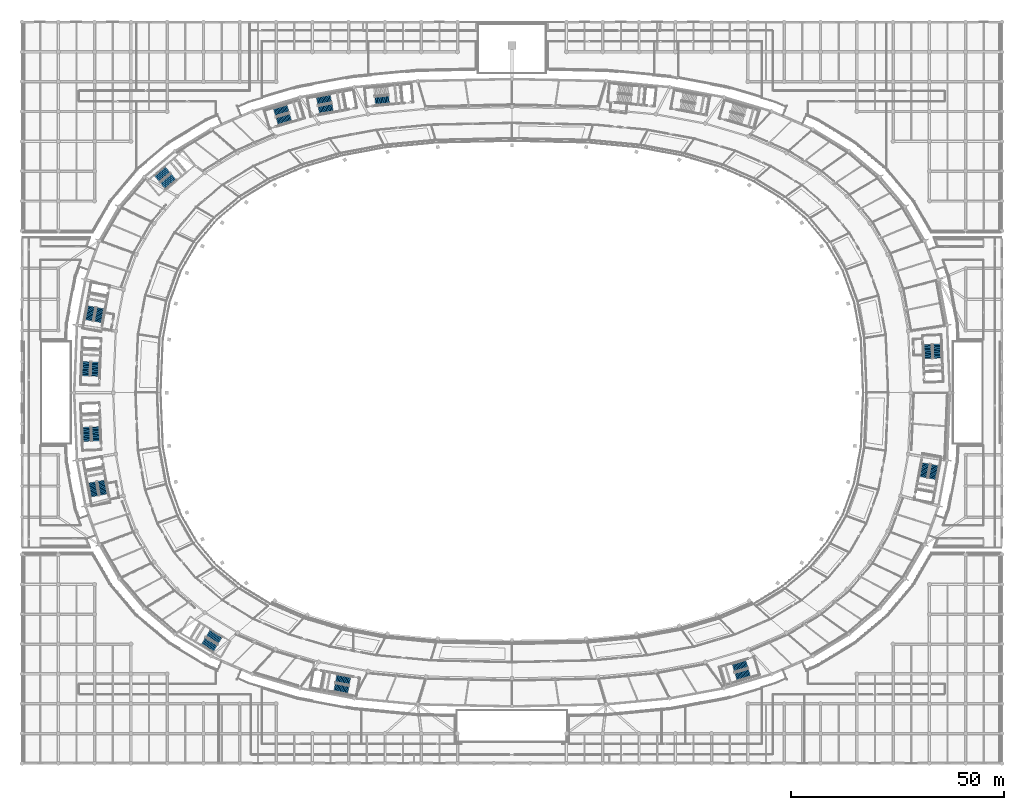
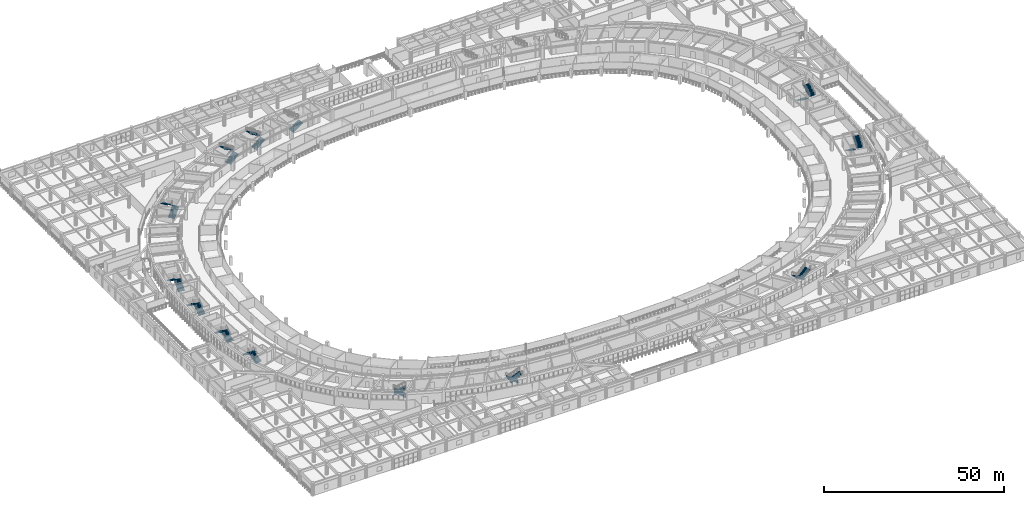
# One storey, part 111 of 141: 25 stair flights, 13 elements without a shape of their own.
"""IFC4 building model written with IfcOpenShell, lengths in metres."""

from ifc_helpers import new_model, si_unit, direction, frame, origin, place, context, subcontext, project, spatial, polyline, outline, extrude, material, type_object, element, aggregate, save


model = new_model("IFC4")

# Units and contexts
model_context = context("Model", 3, precision=1e-05, world=origin(), true_north=direction((0.0, 1.0)))
body_context = subcontext(model_context, "Body", "Model", "MODEL_VIEW")
ifc_project = project(units=[si_unit("LENGTHUNIT", "METRE"), si_unit("AREAUNIT", "SQUARE_METRE"), si_unit("VOLUMEUNIT", "CUBIC_METRE"), si_unit("PLANEANGLEUNIT", "RADIAN"), si_unit("MASSUNIT", "GRAM", prefix="KILO")], contexts=[model_context])

# Site, building, storey
site_placement = place(None, origin())
site = spatial("IfcSite", under=ifc_project, at=site_placement, CompositionType="ELEMENT")
building_placement = place(site_placement, origin())
building = spatial("IfcBuilding", under=site, at=building_placement, Name="Mphavela Belvedere Stadium", CompositionType="ELEMENT")
storey_placement = place(building_placement, frame((0.0, 0.0, 14.699951171875)))
storey = spatial("IfcBuildingStorey", under=building, at=storey_placement, Name="L03", CompositionType="ELEMENT", Elevation=14.699951171875)

# Stair, stair flights
ifc_material_1 = material(Name="Concrete C40/50", Category="concrete")
stair_type_1 = type_object("IfcStairType", Name="STR-HALF-TURN-1", PredefinedType="HALF_TURN_STAIR", material=ifc_material_1)
stair_1_placement = place(storey_placement, origin())
stair_1 = element("IfcStair", 1, at=stair_1_placement, inside=storey, type_object=stair_type_1, Name="L03 Escape stair core C01", PredefinedType="HALF_TURN_STAIR")
ifc_material_2 = material(Name="Concrete C40/50", Category="concrete")
stair_flight_type = type_object("IfcStairFlightType", Name="SFL-CORE-152", PredefinedType="STRAIGHT", material=ifc_material_2)
stair_flight_1_placement = place(storey_placement, frame((212.57373046875, 98.3193359375, 0.0), z_axis=(0.0, 0.0, 1.0), x_axis=(0.041875653729, -0.999122830099, 0.0)))
stair_flight_1 = element("IfcStairFlight", 2, at=stair_flight_1_placement, type_object=stair_flight_type, Name="ST-C01 flight 1", NumberOfRisers=12, NumberOfTreads=11, PredefinedType="STRAIGHT", RiserHeight=0.1875, TreadLength=0.302, context=body_context, shape_type="SweptSolid", body=[
    extrude(outline(polyline([(0.0, 0.0), (0.0, 0.1875), (0.302001953125, 0.1875), (0.302001953125, 0.375), (0.60400390625, 0.375), (0.60400390625, 0.5625), (0.906005859375, 0.5625), (0.906005859375, 0.75), (1.2080078125, 0.75), (1.2080078125, 0.9375), (1.510009765625, 0.9375), (1.510009765625, 1.125), (1.81201171875, 1.125), (1.81201171875, 1.3125), (2.114013671875, 1.3125), (2.114013671875, 1.5), (2.416015625, 1.5), (2.416015625, 1.6875), (2.718017578125, 1.6875), (2.718017578125, 1.875), (3.02001953125, 1.875), (3.02001953125, 2.0625), (3.322021484375, 2.0625), (3.322021484375, 2.25), (3.322021484375, 1.885986328125), (0.2841796875, 0.0), (0.0, 0.0)])), frame((0.0, 1.010009765625, 0.0), z_axis=(0.0, -1.0, 0.0), x_axis=(1.0, 0.0, 0.0)), (0.0, 0.0, 1.0), 2.02001953125),
])
stair_flight_2_placement = place(storey_placement, frame((214.881103515625, 95.091064453125, 2.25), z_axis=(0.0, 0.0, 1.0), x_axis=(-0.041875653729, 0.999122830099, 0.0)))
stair_flight_2 = element("IfcStairFlight", 3, at=stair_flight_2_placement, type_object=stair_flight_type, Name="ST-C01 flight 2", NumberOfRisers=12, NumberOfTreads=11, PredefinedType="STRAIGHT", RiserHeight=0.1875, TreadLength=0.302, context=body_context, shape_type="SweptSolid", body=[
    extrude(outline(polyline([(0.0, 0.0), (0.0, 0.1875), (0.302001953125, 0.1875), (0.302001953125, 0.375), (0.60400390625, 0.375), (0.60400390625, 0.5625), (0.906005859375, 0.5625), (0.906005859375, 0.75), (1.2080078125, 0.75), (1.2080078125, 0.9375), (1.510009765625, 0.9375), (1.510009765625, 1.125), (1.81201171875, 1.125), (1.81201171875, 1.3125), (2.114013671875, 1.3125), (2.114013671875, 1.5), (2.416015625, 1.5), (2.416015625, 1.6875), (2.718017578125, 1.6875), (2.718017578125, 1.875), (3.02001953125, 1.875), (3.02001953125, 2.0625), (3.322021484375, 2.0625), (3.322021484375, 2.25), (3.322021484375, 1.885986328125), (0.2841796875, 0.0), (0.0, 0.0)])), frame((0.0, 1.010009765625, 0.0), z_axis=(0.0, -1.0, 0.0), x_axis=(1.0, 0.0, 0.0)), (0.0, 0.0, 1.0), 2.02001953125),
])
aggregate(stair_1, [stair_flight_1, stair_flight_2])

ifc_material_3 = material(Name="Concrete C40/50", Category="concrete")
stair_type_2 = type_object("IfcStairType", Name="STR-HALF-TURN-2", PredefinedType="HALF_TURN_STAIR", material=ifc_material_3)
stair_2_placement = place(storey_placement, origin())
stair_2 = element("IfcStair", 4, at=stair_2_placement, inside=storey, type_object=stair_type_2, Name="L03 Escape stair core C02", PredefinedType="HALF_TURN_STAIR")
stair_flight_3_placement = place(storey_placement, frame((69.651611328125, 153.302490234375, 0.0), z_axis=(0.0, 0.0, 1.0), x_axis=(0.983095502692, 0.183093507769, 0.0)))
stair_flight_3 = element("IfcStairFlight", 5, at=stair_flight_3_placement, type_object=stair_flight_type, Name="ST-C02 flight 1", NumberOfRisers=12, NumberOfTreads=11, PredefinedType="STRAIGHT", RiserHeight=0.1875, TreadLength=0.302, context=body_context, shape_type="SweptSolid", body=[
    extrude(outline(polyline([(0.0, 0.0), (0.0, 0.1875), (0.302001953125, 0.1875), (0.302001953125, 0.375), (0.60400390625, 0.375), (0.60400390625, 0.5625), (0.906005859375, 0.5625), (0.906005859375, 0.75), (1.2080078125, 0.75), (1.2080078125, 0.9375), (1.510009765625, 0.9375), (1.510009765625, 1.125), (1.81201171875, 1.125), (1.81201171875, 1.3125), (2.114013671875, 1.3125), (2.114013671875, 1.5), (2.416015625, 1.5), (2.416015625, 1.6875), (2.718017578125, 1.6875), (2.718017578125, 1.875), (3.02001953125, 1.875), (3.02001953125, 2.0625), (3.322021484375, 2.0625), (3.322021484375, 2.25), (3.322021484375, 1.885986328125), (0.2841796875, 0.0), (0.0, 0.0)])), frame((0.0, 1.010009765625, 0.0), z_axis=(0.0, -1.0, 0.0), x_axis=(1.0, 0.0, 0.0)), (0.0, 0.0, 1.0), 2.02001953125),
])
stair_flight_4_placement = place(storey_placement, frame((72.520263671875, 156.0439453125, 2.25), z_axis=(0.0, 0.0, 1.0), x_axis=(-0.983095502692, -0.183093507769, 0.0)))
stair_flight_4 = element("IfcStairFlight", 6, at=stair_flight_4_placement, type_object=stair_flight_type, Name="ST-C02 flight 2", NumberOfRisers=12, NumberOfTreads=11, PredefinedType="STRAIGHT", RiserHeight=0.1875, TreadLength=0.302, context=body_context, shape_type="SweptSolid", body=[
    extrude(outline(polyline([(0.0, 0.0), (0.0, 0.1875), (0.302001953125, 0.1875), (0.302001953125, 0.375), (0.60400390625, 0.375), (0.60400390625, 0.5625), (0.906005859375, 0.5625), (0.906005859375, 0.75), (1.2080078125, 0.75), (1.2080078125, 0.9375), (1.510009765625, 0.9375), (1.510009765625, 1.125), (1.81201171875, 1.125), (1.81201171875, 1.3125), (2.114013671875, 1.3125), (2.114013671875, 1.5), (2.416015625, 1.5), (2.416015625, 1.6875), (2.718017578125, 1.6875), (2.718017578125, 1.875), (3.02001953125, 1.875), (3.02001953125, 2.0625), (3.322021484375, 2.0625), (3.322021484375, 2.25), (3.322021484375, 1.885986328125), (0.2841796875, 0.0), (0.0, 0.0)])), frame((0.0, 1.010009765625, 0.0), z_axis=(0.0, -1.0, 0.0), x_axis=(1.0, 0.0, 0.0)), (0.0, 0.0, 1.0), 2.02001953125),
])
aggregate(stair_2, [stair_flight_3, stair_flight_4])

# Stair, stair flight
stair_3_placement = place(storey_placement, origin())
stair_3 = element("IfcStair", 7, at=stair_3_placement, inside=storey, type_object=stair_type_1, Name="L03 Escape stair core C04", PredefinedType="HALF_TURN_STAIR")
stair_flight_5_placement = place(storey_placement, frame((82.85693359375, 155.44775390625, 0.0), z_axis=(0.0, 0.0, 1.0), x_axis=(0.995479460536, 0.094977069084, 0.0)))
stair_flight_5 = element("IfcStairFlight", 8, at=stair_flight_5_placement, type_object=stair_flight_type, Name="ST-C04 flight 1", NumberOfRisers=12, NumberOfTreads=11, PredefinedType="STRAIGHT", RiserHeight=0.1875, TreadLength=0.302, context=body_context, shape_type="SweptSolid", body=[
    extrude(outline(polyline([(0.0, 0.0), (0.0, 0.1875), (0.302001953125, 0.1875), (0.302001953125, 0.375), (0.60400390625, 0.375), (0.60400390625, 0.5625), (0.906005859375, 0.5625), (0.906005859375, 0.75), (1.2080078125, 0.75), (1.2080078125, 0.9375), (1.510009765625, 0.9375), (1.510009765625, 1.125), (1.81201171875, 1.125), (1.81201171875, 1.3125), (2.114013671875, 1.3125), (2.114013671875, 1.5), (2.416015625, 1.5), (2.416015625, 1.6875), (2.718017578125, 1.6875), (2.718017578125, 1.875), (3.02001953125, 1.875), (3.02001953125, 2.0625), (3.322021484375, 2.0625), (3.322021484375, 2.25), (3.322021484375, 1.885986328125), (0.2841796875, 0.0), (0.0, 0.0)])), frame((0.0, 1.010009765625, 0.0), z_axis=(0.0, -1.0, 0.0), x_axis=(1.0, 0.0, 0.0)), (0.0, 0.0, 1.0), 2.02001953125),
])
aggregate(stair_3, [stair_flight_5])

# Stair, stair flights
stair_4_placement = place(storey_placement, origin())
stair_4 = element("IfcStair", 9, at=stair_4_placement, inside=storey, type_object=stair_type_2, Name="L03 Escape stair core C05", PredefinedType="HALF_TURN_STAIR")
stair_flight_6_placement = place(storey_placement, frame((33.068115234375, 135.525146484375, 0.0), z_axis=(0.0, 0.0, 1.0), x_axis=(0.764246456939, 0.644924300253, 0.0)))
stair_flight_6 = element("IfcStairFlight", 10, at=stair_flight_6_placement, type_object=stair_flight_type, Name="ST-C05 flight 1", NumberOfRisers=12, NumberOfTreads=11, PredefinedType="STRAIGHT", RiserHeight=0.1875, TreadLength=0.302, context=body_context, shape_type="SweptSolid", body=[
    extrude(outline(polyline([(0.0, 0.0), (0.0, 0.1875), (0.302001953125, 0.1875), (0.302001953125, 0.375), (0.60400390625, 0.375), (0.60400390625, 0.5625), (0.906005859375, 0.5625), (0.906005859375, 0.75), (1.2080078125, 0.75), (1.2080078125, 0.9375), (1.510009765625, 0.9375), (1.510009765625, 1.125), (1.81201171875, 1.125), (1.81201171875, 1.3125), (2.114013671875, 1.3125), (2.114013671875, 1.5), (2.416015625, 1.5), (2.416015625, 1.6875), (2.718017578125, 1.6875), (2.718017578125, 1.875), (3.02001953125, 1.875), (3.02001953125, 2.0625), (3.322021484375, 2.0625), (3.322021484375, 2.25), (3.322021484375, 1.885986328125), (0.2841796875, 0.0), (0.0, 0.0)])), frame((0.0, 1.010009765625, 0.0), z_axis=(0.0, -1.0, 0.0), x_axis=(1.0, 0.0, 0.0)), (0.0, 0.0, 1.0), 2.02001953125),
])
stair_flight_7_placement = place(storey_placement, frame((34.20751953125, 139.326171875, 2.25), z_axis=(0.0, 0.0, 1.0), x_axis=(-0.764246456939, -0.644924300253, 0.0)))
stair_flight_7 = element("IfcStairFlight", 11, at=stair_flight_7_placement, type_object=stair_flight_type, Name="ST-C05 flight 2", NumberOfRisers=12, NumberOfTreads=11, PredefinedType="STRAIGHT", RiserHeight=0.1875, TreadLength=0.302, context=body_context, shape_type="SweptSolid", body=[
    extrude(outline(polyline([(0.0, 0.0), (0.0, 0.1875), (0.302001953125, 0.1875), (0.302001953125, 0.375), (0.60400390625, 0.375), (0.60400390625, 0.5625), (0.906005859375, 0.5625), (0.906005859375, 0.75), (1.2080078125, 0.75), (1.2080078125, 0.9375), (1.510009765625, 0.9375), (1.510009765625, 1.125), (1.81201171875, 1.125), (1.81201171875, 1.3125), (2.114013671875, 1.3125), (2.114013671875, 1.5), (2.416015625, 1.5), (2.416015625, 1.6875), (2.718017578125, 1.6875), (2.718017578125, 1.875), (3.02001953125, 1.875), (3.02001953125, 2.0625), (3.322021484375, 2.0625), (3.322021484375, 2.25), (3.322021484375, 1.885986328125), (0.2841796875, 0.0), (0.0, 0.0)])), frame((0.0, 1.010009765625, 0.0), z_axis=(0.0, -1.0, 0.0), x_axis=(1.0, 0.0, 0.0)), (0.0, 0.0, 1.0), 2.02001953125),
])
aggregate(stair_4, [stair_flight_6, stair_flight_7])

ifc_material_4 = material(Name="Concrete C40/50", Category="concrete")
stair_type_3 = type_object("IfcStairType", Name="STR-HALF-TURN-3", PredefinedType="HALF_TURN_STAIR", material=ifc_material_4)
stair_5_placement = place(storey_placement, origin())
stair_5 = element("IfcStair", 12, at=stair_5_placement, inside=storey, type_object=stair_type_3, Name="L03 Escape stair core C06", PredefinedType="HALF_TURN_STAIR")
stair_flight_8_placement = place(storey_placement, frame((17.851806640625, 103.57861328125, 0.0), z_axis=(0.0, 0.0, 1.0), x_axis=(0.182578735093, 0.983191235463, 0.0)))
stair_flight_8 = element("IfcStairFlight", 13, at=stair_flight_8_placement, type_object=stair_flight_type, Name="ST-C06 flight 1", NumberOfRisers=12, NumberOfTreads=11, PredefinedType="STRAIGHT", RiserHeight=0.1875, TreadLength=0.302, context=body_context, shape_type="SweptSolid", body=[
    extrude(outline(polyline([(0.0, 0.0), (0.0, 0.1875), (0.302001953125, 0.1875), (0.302001953125, 0.375), (0.60400390625, 0.375), (0.60400390625, 0.5625), (0.906005859375, 0.5625), (0.906005859375, 0.75), (1.2080078125, 0.75), (1.2080078125, 0.9375), (1.510009765625, 0.9375), (1.510009765625, 1.125), (1.81201171875, 1.125), (1.81201171875, 1.3125), (2.114013671875, 1.3125), (2.114013671875, 1.5), (2.416015625, 1.5), (2.416015625, 1.6875), (2.718017578125, 1.6875), (2.718017578125, 1.875), (3.02001953125, 1.875), (3.02001953125, 2.0625), (3.322021484375, 2.0625), (3.322021484375, 2.25), (3.322021484375, 1.885986328125), (0.2841796875, 0.0), (0.0, 0.0)])), frame((0.0, 1.010009765625, 0.0), z_axis=(0.0, -1.0, 0.0), x_axis=(1.0, 0.0, 0.0)), (0.0, 0.0, 1.0), 2.02001953125),
])
stair_flight_9_placement = place(storey_placement, frame((16.32470703125, 107.240966796875, 2.25), z_axis=(0.0, 0.0, 1.0), x_axis=(-0.182578735093, -0.983191235463, 0.0)))
stair_flight_9 = element("IfcStairFlight", 14, at=stair_flight_9_placement, type_object=stair_flight_type, Name="ST-C06 flight 2", NumberOfRisers=12, NumberOfTreads=11, PredefinedType="STRAIGHT", RiserHeight=0.1875, TreadLength=0.302, context=body_context, shape_type="SweptSolid", body=[
    extrude(outline(polyline([(0.0, 0.0), (0.0, 0.1875), (0.302001953125, 0.1875), (0.302001953125, 0.375), (0.60400390625, 0.375), (0.60400390625, 0.5625), (0.906005859375, 0.5625), (0.906005859375, 0.75), (1.2080078125, 0.75), (1.2080078125, 0.9375), (1.510009765625, 0.9375), (1.510009765625, 1.125), (1.81201171875, 1.125), (1.81201171875, 1.3125), (2.114013671875, 1.3125), (2.114013671875, 1.5), (2.416015625, 1.5), (2.416015625, 1.6875), (2.718017578125, 1.6875), (2.718017578125, 1.875), (3.02001953125, 1.875), (3.02001953125, 2.0625), (3.322021484375, 2.0625), (3.322021484375, 2.25), (3.322021484375, 1.885986328125), (0.2841796875, 0.0), (0.0, 0.0)])), frame((0.0, 1.010009765625, 0.0), z_axis=(0.0, -1.0, 0.0), x_axis=(1.0, 0.0, 0.0)), (0.0, 0.0, 1.0), 2.02001953125),
])
aggregate(stair_5, [stair_flight_8, stair_flight_9])

stair_6_placement = place(storey_placement, origin())
stair_6 = element("IfcStair", 15, at=stair_6_placement, inside=storey, type_object=stair_type_1, Name="L03 Escape stair core C07", PredefinedType="HALF_TURN_STAIR")
stair_flight_10_placement = place(storey_placement, frame((17.11376953125, 90.86572265625, 0.0), z_axis=(0.0, 0.0, 1.0), x_axis=(0.041875653729, 0.999122830099, 0.0)))
stair_flight_10 = element("IfcStairFlight", 16, at=stair_flight_10_placement, type_object=stair_flight_type, Name="ST-C07 flight 1", NumberOfRisers=12, NumberOfTreads=11, PredefinedType="STRAIGHT", RiserHeight=0.1875, TreadLength=0.302, context=body_context, shape_type="SweptSolid", body=[
    extrude(outline(polyline([(0.0, 0.0), (0.0, 0.1875), (0.302001953125, 0.1875), (0.302001953125, 0.375), (0.60400390625, 0.375), (0.60400390625, 0.5625), (0.906005859375, 0.5625), (0.906005859375, 0.75), (1.2080078125, 0.75), (1.2080078125, 0.9375), (1.510009765625, 0.9375), (1.510009765625, 1.125), (1.81201171875, 1.125), (1.81201171875, 1.3125), (2.114013671875, 1.3125), (2.114013671875, 1.5), (2.416015625, 1.5), (2.416015625, 1.6875), (2.718017578125, 1.6875), (2.718017578125, 1.875), (3.02001953125, 1.875), (3.02001953125, 2.0625), (3.322021484375, 2.0625), (3.322021484375, 2.25), (3.322021484375, 1.885986328125), (0.2841796875, 0.0), (0.0, 0.0)])), frame((0.0, 1.010009765625, 0.0), z_axis=(0.0, -1.0, 0.0), x_axis=(1.0, 0.0, 0.0)), (0.0, 0.0, 1.0), 2.02001953125),
])
stair_flight_11_placement = place(storey_placement, frame((15.0849609375, 94.27587890625, 2.25), z_axis=(0.0, 0.0, 1.0), x_axis=(-0.041875653729, -0.999122830099, 0.0)))
stair_flight_11 = element("IfcStairFlight", 17, at=stair_flight_11_placement, type_object=stair_flight_type, Name="ST-C07 flight 2", NumberOfRisers=12, NumberOfTreads=11, PredefinedType="STRAIGHT", RiserHeight=0.1875, TreadLength=0.302, context=body_context, shape_type="SweptSolid", body=[
    extrude(outline(polyline([(0.0, 0.0), (0.0, 0.1875), (0.302001953125, 0.1875), (0.302001953125, 0.375), (0.60400390625, 0.375), (0.60400390625, 0.5625), (0.906005859375, 0.5625), (0.906005859375, 0.75), (1.2080078125, 0.75), (1.2080078125, 0.9375), (1.510009765625, 0.9375), (1.510009765625, 1.125), (1.81201171875, 1.125), (1.81201171875, 1.3125), (2.114013671875, 1.3125), (2.114013671875, 1.5), (2.416015625, 1.5), (2.416015625, 1.6875), (2.718017578125, 1.6875), (2.718017578125, 1.875), (3.02001953125, 1.875), (3.02001953125, 2.0625), (3.322021484375, 2.0625), (3.322021484375, 2.25), (3.322021484375, 1.885986328125), (0.2841796875, 0.0), (0.0, 0.0)])), frame((0.0, 1.010009765625, 0.0), z_axis=(0.0, -1.0, 0.0), x_axis=(1.0, 0.0, 0.0)), (0.0, 0.0, 1.0), 2.02001953125),
])
aggregate(stair_6, [stair_flight_10, stair_flight_11])

stair_7_placement = place(storey_placement, origin())
stair_7 = element("IfcStair", 18, at=stair_7_placement, inside=storey, type_object=stair_type_2, Name="L03 Escape stair core C08", PredefinedType="HALF_TURN_STAIR")
stair_flight_12_placement = place(storey_placement, frame((17.42626953125, 75.6806640625, 0.0), z_axis=(0.0, 0.0, 1.0), x_axis=(-0.041875653729, 0.999122830099, 0.0)))
stair_flight_12 = element("IfcStairFlight", 19, at=stair_flight_12_placement, type_object=stair_flight_type, Name="ST-C08 flight 1", NumberOfRisers=12, NumberOfTreads=11, PredefinedType="STRAIGHT", RiserHeight=0.1875, TreadLength=0.302, context=body_context, shape_type="SweptSolid", body=[
    extrude(outline(polyline([(0.0, 0.0), (0.0, 0.1875), (0.302001953125, 0.1875), (0.302001953125, 0.375), (0.60400390625, 0.375), (0.60400390625, 0.5625), (0.906005859375, 0.5625), (0.906005859375, 0.75), (1.2080078125, 0.75), (1.2080078125, 0.9375), (1.510009765625, 0.9375), (1.510009765625, 1.125), (1.81201171875, 1.125), (1.81201171875, 1.3125), (2.114013671875, 1.3125), (2.114013671875, 1.5), (2.416015625, 1.5), (2.416015625, 1.6875), (2.718017578125, 1.6875), (2.718017578125, 1.875), (3.02001953125, 1.875), (3.02001953125, 2.0625), (3.322021484375, 2.0625), (3.322021484375, 2.25), (3.322021484375, 1.885986328125), (0.2841796875, 0.0), (0.0, 0.0)])), frame((0.0, 1.010009765625, 0.0), z_axis=(0.0, -1.0, 0.0), x_axis=(1.0, 0.0, 0.0)), (0.0, 0.0, 1.0), 2.02001953125),
])
stair_flight_13_placement = place(storey_placement, frame((15.118896484375, 78.908935546875, 2.25), z_axis=(0.0, 0.0, 1.0), x_axis=(0.041875653729, -0.999122830099, 0.0)))
stair_flight_13 = element("IfcStairFlight", 20, at=stair_flight_13_placement, type_object=stair_flight_type, Name="ST-C08 flight 2", NumberOfRisers=12, NumberOfTreads=11, PredefinedType="STRAIGHT", RiserHeight=0.1875, TreadLength=0.302, context=body_context, shape_type="SweptSolid", body=[
    extrude(outline(polyline([(0.0, 0.0), (0.0, 0.1875), (0.302001953125, 0.1875), (0.302001953125, 0.375), (0.60400390625, 0.375), (0.60400390625, 0.5625), (0.906005859375, 0.5625), (0.906005859375, 0.75), (1.2080078125, 0.75), (1.2080078125, 0.9375), (1.510009765625, 0.9375), (1.510009765625, 1.125), (1.81201171875, 1.125), (1.81201171875, 1.3125), (2.114013671875, 1.3125), (2.114013671875, 1.5), (2.416015625, 1.5), (2.416015625, 1.6875), (2.718017578125, 1.6875), (2.718017578125, 1.875), (3.02001953125, 1.875), (3.02001953125, 2.0625), (3.322021484375, 2.0625), (3.322021484375, 2.25), (3.322021484375, 1.885986328125), (0.2841796875, 0.0), (0.0, 0.0)])), frame((0.0, 1.010009765625, 0.0), z_axis=(0.0, -1.0, 0.0), x_axis=(1.0, 0.0, 0.0)), (0.0, 0.0, 1.0), 2.02001953125),
])
aggregate(stair_7, [stair_flight_12, stair_flight_13])

stair_8_placement = place(storey_placement, origin())
stair_8 = element("IfcStair", 21, at=stair_8_placement, inside=storey, type_object=stair_type_3, Name="L03 Escape stair core C09", PredefinedType="HALF_TURN_STAIR")
stair_flight_14_placement = place(storey_placement, frame((19.2138671875, 63.0869140625, 0.0), z_axis=(0.0, 0.0, 1.0), x_axis=(-0.182578735093, 0.983191235463, 0.0)))
stair_flight_14 = element("IfcStairFlight", 22, at=stair_flight_14_placement, type_object=stair_flight_type, Name="ST-C09 flight 1", NumberOfRisers=12, NumberOfTreads=11, PredefinedType="STRAIGHT", RiserHeight=0.1875, TreadLength=0.302, context=body_context, shape_type="SweptSolid", body=[
    extrude(outline(polyline([(0.0, 0.0), (0.0, 0.1875), (0.302001953125, 0.1875), (0.302001953125, 0.375), (0.60400390625, 0.375), (0.60400390625, 0.5625), (0.906005859375, 0.5625), (0.906005859375, 0.75), (1.2080078125, 0.75), (1.2080078125, 0.9375), (1.510009765625, 0.9375), (1.510009765625, 1.125), (1.81201171875, 1.125), (1.81201171875, 1.3125), (2.114013671875, 1.3125), (2.114013671875, 1.5), (2.416015625, 1.5), (2.416015625, 1.6875), (2.718017578125, 1.6875), (2.718017578125, 1.875), (3.02001953125, 1.875), (3.02001953125, 2.0625), (3.322021484375, 2.0625), (3.322021484375, 2.25), (3.322021484375, 1.885986328125), (0.2841796875, 0.0), (0.0, 0.0)])), frame((0.0, 1.010009765625, 0.0), z_axis=(0.0, -1.0, 0.0), x_axis=(1.0, 0.0, 0.0)), (0.0, 0.0, 1.0), 2.02001953125),
])
stair_flight_15_placement = place(storey_placement, frame((16.4736328125, 65.956787109375, 2.25), z_axis=(0.0, 0.0, 1.0), x_axis=(0.182578735093, -0.983191235463, 0.0)))
stair_flight_15 = element("IfcStairFlight", 23, at=stair_flight_15_placement, type_object=stair_flight_type, Name="ST-C09 flight 2", NumberOfRisers=12, NumberOfTreads=11, PredefinedType="STRAIGHT", RiserHeight=0.1875, TreadLength=0.302, context=body_context, shape_type="SweptSolid", body=[
    extrude(outline(polyline([(0.0, 0.0), (0.0, 0.1875), (0.302001953125, 0.1875), (0.302001953125, 0.375), (0.60400390625, 0.375), (0.60400390625, 0.5625), (0.906005859375, 0.5625), (0.906005859375, 0.75), (1.2080078125, 0.75), (1.2080078125, 0.9375), (1.510009765625, 0.9375), (1.510009765625, 1.125), (1.81201171875, 1.125), (1.81201171875, 1.3125), (2.114013671875, 1.3125), (2.114013671875, 1.5), (2.416015625, 1.5), (2.416015625, 1.6875), (2.718017578125, 1.6875), (2.718017578125, 1.875), (3.02001953125, 1.875), (3.02001953125, 2.0625), (3.322021484375, 2.0625), (3.322021484375, 2.25), (3.322021484375, 1.885986328125), (0.2841796875, 0.0), (0.0, 0.0)])), frame((0.0, 1.010009765625, 0.0), z_axis=(0.0, -1.0, 0.0), x_axis=(1.0, 0.0, 0.0)), (0.0, 0.0, 1.0), 2.02001953125),
])
aggregate(stair_8, [stair_flight_14, stair_flight_15])

stair_9_placement = place(storey_placement, origin())
stair_9 = element("IfcStair", 24, at=stair_9_placement, inside=storey, type_object=stair_type_1, Name="L03 Escape stair core C10", PredefinedType="HALF_TURN_STAIR")
stair_flight_16_placement = place(storey_placement, frame((46.510498046875, 28.82666015625, 0.0), z_axis=(0.0, 0.0, 1.0), x_axis=(-0.854368143929, 0.519668235165, 0.0)))
stair_flight_16 = element("IfcStairFlight", 25, at=stair_flight_16_placement, type_object=stair_flight_type, Name="ST-C10 flight 1", NumberOfRisers=12, NumberOfTreads=11, PredefinedType="STRAIGHT", RiserHeight=0.1875, TreadLength=0.302, context=body_context, shape_type="SweptSolid", body=[
    extrude(outline(polyline([(0.0, 0.0), (0.0, 0.1875), (0.302001953125, 0.1875), (0.302001953125, 0.375), (0.60400390625, 0.375), (0.60400390625, 0.5625), (0.906005859375, 0.5625), (0.906005859375, 0.75), (1.2080078125, 0.75), (1.2080078125, 0.9375), (1.510009765625, 0.9375), (1.510009765625, 1.125), (1.81201171875, 1.125), (1.81201171875, 1.3125), (2.114013671875, 1.3125), (2.114013671875, 1.5), (2.416015625, 1.5), (2.416015625, 1.6875), (2.718017578125, 1.6875), (2.718017578125, 1.875), (3.02001953125, 1.875), (3.02001953125, 2.0625), (3.322021484375, 2.0625), (3.322021484375, 2.25), (3.322021484375, 1.885986328125), (0.2841796875, 0.0), (0.0, 0.0)])), frame((0.0, 1.010009765625, 0.0), z_axis=(0.0, -1.0, 0.0), x_axis=(1.0, 0.0, 0.0)), (0.0, 0.0, 1.0), 2.02001953125),
])
stair_flight_17_placement = place(storey_placement, frame((42.544677734375, 28.698974609375, 2.25), z_axis=(0.0, 0.0, 1.0), x_axis=(0.854368143929, -0.519668235165, 0.0)))
stair_flight_17 = element("IfcStairFlight", 26, at=stair_flight_17_placement, type_object=stair_flight_type, Name="ST-C10 flight 2", NumberOfRisers=12, NumberOfTreads=11, PredefinedType="STRAIGHT", RiserHeight=0.1875, TreadLength=0.302, context=body_context, shape_type="SweptSolid", body=[
    extrude(outline(polyline([(0.0, 0.0), (0.0, 0.1875), (0.302001953125, 0.1875), (0.302001953125, 0.375), (0.60400390625, 0.375), (0.60400390625, 0.5625), (0.906005859375, 0.5625), (0.906005859375, 0.75), (1.2080078125, 0.75), (1.2080078125, 0.9375), (1.510009765625, 0.9375), (1.510009765625, 1.125), (1.81201171875, 1.125), (1.81201171875, 1.3125), (2.114013671875, 1.3125), (2.114013671875, 1.5), (2.416015625, 1.5), (2.416015625, 1.6875), (2.718017578125, 1.6875), (2.718017578125, 1.875), (3.02001953125, 1.875), (3.02001953125, 2.0625), (3.322021484375, 2.0625), (3.322021484375, 2.25), (3.322021484375, 1.885986328125), (0.2841796875, 0.0), (0.0, 0.0)])), frame((0.0, 1.010009765625, 0.0), z_axis=(0.0, -1.0, 0.0), x_axis=(1.0, 0.0, 0.0)), (0.0, 0.0, 1.0), 2.02001953125),
])
aggregate(stair_9, [stair_flight_16, stair_flight_17])

stair_10_placement = place(storey_placement, origin())
stair_10 = element("IfcStair", 27, at=stair_10_placement, inside=storey, type_object=stair_type_2, Name="L03 Escape stair core C11", PredefinedType="HALF_TURN_STAIR")
stair_flight_18_placement = place(storey_placement, frame((76.985595703125, 19.331787109375, 0.0), z_axis=(0.0, 0.0, 1.0), x_axis=(-0.983095502692, 0.183093507769, 0.0)))
stair_flight_18 = element("IfcStairFlight", 28, at=stair_flight_18_placement, type_object=stair_flight_type, Name="ST-C11 flight 1", NumberOfRisers=12, NumberOfTreads=11, PredefinedType="STRAIGHT", RiserHeight=0.1875, TreadLength=0.302, context=body_context, shape_type="SweptSolid", body=[
    extrude(outline(polyline([(0.0, 0.0), (0.0, 0.1875), (0.302001953125, 0.1875), (0.302001953125, 0.375), (0.60400390625, 0.375), (0.60400390625, 0.5625), (0.906005859375, 0.5625), (0.906005859375, 0.75), (1.2080078125, 0.75), (1.2080078125, 0.9375), (1.510009765625, 0.9375), (1.510009765625, 1.125), (1.81201171875, 1.125), (1.81201171875, 1.3125), (2.114013671875, 1.3125), (2.114013671875, 1.5), (2.416015625, 1.5), (2.416015625, 1.6875), (2.718017578125, 1.6875), (2.718017578125, 1.875), (3.02001953125, 1.875), (3.02001953125, 2.0625), (3.322021484375, 2.0625), (3.322021484375, 2.25), (3.322021484375, 1.885986328125), (0.2841796875, 0.0), (0.0, 0.0)])), frame((0.0, 1.010009765625, 0.0), z_axis=(0.0, -1.0, 0.0), x_axis=(1.0, 0.0, 0.0)), (0.0, 0.0, 1.0), 2.02001953125),
])
stair_flight_19_placement = place(storey_placement, frame((73.322509765625, 17.806640625, 2.25), z_axis=(0.0, 0.0, 1.0), x_axis=(0.983095502692, -0.183093507769, 0.0)))
stair_flight_19 = element("IfcStairFlight", 29, at=stair_flight_19_placement, type_object=stair_flight_type, Name="ST-C11 flight 2", NumberOfRisers=12, NumberOfTreads=11, PredefinedType="STRAIGHT", RiserHeight=0.1875, TreadLength=0.302, context=body_context, shape_type="SweptSolid", body=[
    extrude(outline(polyline([(0.0, 0.0), (0.0, 0.1875), (0.302001953125, 0.1875), (0.302001953125, 0.375), (0.60400390625, 0.375), (0.60400390625, 0.5625), (0.906005859375, 0.5625), (0.906005859375, 0.75), (1.2080078125, 0.75), (1.2080078125, 0.9375), (1.510009765625, 0.9375), (1.510009765625, 1.125), (1.81201171875, 1.125), (1.81201171875, 1.3125), (2.114013671875, 1.3125), (2.114013671875, 1.5), (2.416015625, 1.5), (2.416015625, 1.6875), (2.718017578125, 1.6875), (2.718017578125, 1.875), (3.02001953125, 1.875), (3.02001953125, 2.0625), (3.322021484375, 2.0625), (3.322021484375, 2.25), (3.322021484375, 1.885986328125), (0.2841796875, 0.0), (0.0, 0.0)])), frame((0.0, 1.010009765625, 0.0), z_axis=(0.0, -1.0, 0.0), x_axis=(1.0, 0.0, 0.0)), (0.0, 0.0, 1.0), 2.02001953125),
])
aggregate(stair_10, [stair_flight_18, stair_flight_19])

stair_11_placement = place(storey_placement, origin())
stair_11 = element("IfcStair", 30, at=stair_11_placement, inside=storey, type_object=stair_type_3, Name="L03 Escape stair core C12", PredefinedType="HALF_TURN_STAIR")
stair_flight_20_placement = place(storey_placement, frame((212.148193359375, 70.42138671875, 0.0), z_axis=(0.0, 0.0, 1.0), x_axis=(-0.182578735093, -0.983191235463, 0.0)))
stair_flight_20 = element("IfcStairFlight", 31, at=stair_flight_20_placement, type_object=stair_flight_type, Name="ST-C12 flight 1", NumberOfRisers=12, NumberOfTreads=11, PredefinedType="STRAIGHT", RiserHeight=0.1875, TreadLength=0.302, context=body_context, shape_type="SweptSolid", body=[
    extrude(outline(polyline([(0.0, 0.0), (0.0, 0.1875), (0.302001953125, 0.1875), (0.302001953125, 0.375), (0.60400390625, 0.375), (0.60400390625, 0.5625), (0.906005859375, 0.5625), (0.906005859375, 0.75), (1.2080078125, 0.75), (1.2080078125, 0.9375), (1.510009765625, 0.9375), (1.510009765625, 1.125), (1.81201171875, 1.125), (1.81201171875, 1.3125), (2.114013671875, 1.3125), (2.114013671875, 1.5), (2.416015625, 1.5), (2.416015625, 1.6875), (2.718017578125, 1.6875), (2.718017578125, 1.875), (3.02001953125, 1.875), (3.02001953125, 2.0625), (3.322021484375, 2.0625), (3.322021484375, 2.25), (3.322021484375, 1.885986328125), (0.2841796875, 0.0), (0.0, 0.0)])), frame((0.0, 1.010009765625, 0.0), z_axis=(0.0, -1.0, 0.0), x_axis=(1.0, 0.0, 0.0)), (0.0, 0.0, 1.0), 2.02001953125),
])
stair_flight_21_placement = place(storey_placement, frame((213.67529296875, 66.759033203125, 2.25), z_axis=(0.0, 0.0, 1.0), x_axis=(0.182578735093, 0.983191235463, 0.0)))
stair_flight_21 = element("IfcStairFlight", 32, at=stair_flight_21_placement, type_object=stair_flight_type, Name="ST-C12 flight 2", NumberOfRisers=12, NumberOfTreads=11, PredefinedType="STRAIGHT", RiserHeight=0.1875, TreadLength=0.302, context=body_context, shape_type="SweptSolid", body=[
    extrude(outline(polyline([(0.0, 0.0), (0.0, 0.1875), (0.302001953125, 0.1875), (0.302001953125, 0.375), (0.60400390625, 0.375), (0.60400390625, 0.5625), (0.906005859375, 0.5625), (0.906005859375, 0.75), (1.2080078125, 0.75), (1.2080078125, 0.9375), (1.510009765625, 0.9375), (1.510009765625, 1.125), (1.81201171875, 1.125), (1.81201171875, 1.3125), (2.114013671875, 1.3125), (2.114013671875, 1.5), (2.416015625, 1.5), (2.416015625, 1.6875), (2.718017578125, 1.6875), (2.718017578125, 1.875), (3.02001953125, 1.875), (3.02001953125, 2.0625), (3.322021484375, 2.0625), (3.322021484375, 2.25), (3.322021484375, 1.885986328125), (0.2841796875, 0.0), (0.0, 0.0)])), frame((0.0, 1.010009765625, 0.0), z_axis=(0.0, -1.0, 0.0), x_axis=(1.0, 0.0, 0.0)), (0.0, 0.0, 1.0), 2.02001953125),
])
aggregate(stair_11, [stair_flight_20, stair_flight_21])

ifc_material_5 = material(Name="Precast concrete C45/55", Category="concrete")
stair_type_4 = type_object("IfcStairType", Name="STR-TWO-RET-1", PredefinedType="TWO_STRAIGHT_RUN_STAIR", material=ifc_material_5)
stair_12_placement = place(storey_placement, origin())
stair_12 = element("IfcStair", 33, at=stair_12_placement, inside=storey, type_object=stair_type_4, Name="L03 Escape stair core P03", PredefinedType="TWO_STRAIGHT_RUN_STAIR")
stair_flight_22_placement = place(storey_placement, frame((59.873046875, 150.666015625, 0.0), z_axis=(0.0, 0.0, 1.0), x_axis=(0.958670893355, 0.284517342588, 0.0)))
stair_flight_22 = element("IfcStairFlight", 34, at=stair_flight_22_placement, type_object=stair_flight_type, Name="ST-P03 flight 1", NumberOfRisers=12, NumberOfTreads=11, PredefinedType="STRAIGHT", RiserHeight=0.1875, TreadLength=0.302, context=body_context, shape_type="SweptSolid", body=[
    extrude(outline(polyline([(0.0, 0.0), (0.0, 0.1875), (0.302001953125, 0.1875), (0.302001953125, 0.375), (0.60400390625, 0.375), (0.60400390625, 0.5625), (0.906005859375, 0.5625), (0.906005859375, 0.75), (1.2080078125, 0.75), (1.2080078125, 0.9375), (1.510009765625, 0.9375), (1.510009765625, 1.125), (1.81201171875, 1.125), (1.81201171875, 1.3125), (2.114013671875, 1.3125), (2.114013671875, 1.5), (2.416015625, 1.5), (2.416015625, 1.6875), (2.718017578125, 1.6875), (2.718017578125, 1.875), (3.02001953125, 1.875), (3.02001953125, 2.0625), (3.322021484375, 2.0625), (3.322021484375, 2.25), (3.322021484375, 1.885986328125), (0.2841796875, 0.0), (0.0, 0.0)])), frame((0.0, 1.010009765625, 0.0), z_axis=(0.0, -1.0, 0.0), x_axis=(1.0, 0.0, 0.0)), (0.0, 0.0, 1.0), 2.02001953125),
])
stair_flight_23_placement = place(storey_placement, frame((62.4404296875, 153.69140625, 2.25), z_axis=(0.0, 0.0, 1.0), x_axis=(-0.958670893355, -0.284517342588, 0.0)))
stair_flight_23 = element("IfcStairFlight", 35, at=stair_flight_23_placement, type_object=stair_flight_type, Name="ST-P03 flight 2", NumberOfRisers=12, NumberOfTreads=11, PredefinedType="STRAIGHT", RiserHeight=0.1875, TreadLength=0.302, context=body_context, shape_type="SweptSolid", body=[
    extrude(outline(polyline([(0.0, 0.0), (0.0, 0.1875), (0.302001953125, 0.1875), (0.302001953125, 0.375), (0.60400390625, 0.375), (0.60400390625, 0.5625), (0.906005859375, 0.5625), (0.906005859375, 0.75), (1.2080078125, 0.75), (1.2080078125, 0.9375), (1.510009765625, 0.9375), (1.510009765625, 1.125), (1.81201171875, 1.125), (1.81201171875, 1.3125), (2.114013671875, 1.3125), (2.114013671875, 1.5), (2.416015625, 1.5), (2.416015625, 1.6875), (2.718017578125, 1.6875), (2.718017578125, 1.875), (3.02001953125, 1.875), (3.02001953125, 2.0625), (3.322021484375, 2.0625), (3.322021484375, 2.25), (3.322021484375, 1.885986328125), (0.2841796875, 0.0), (0.0, 0.0)])), frame((0.0, 1.010009765625, 0.0), z_axis=(0.0, -1.0, 0.0), x_axis=(1.0, 0.0, 0.0)), (0.0, 0.0, 1.0), 2.02001953125),
])
aggregate(stair_12, [stair_flight_22, stair_flight_23])

ifc_material_6 = material(Name="Precast concrete C45/55", Category="concrete")
stair_type_5 = type_object("IfcStairType", Name="STR-TWO-RET-2", PredefinedType="TWO_STRAIGHT_RUN_STAIR", material=ifc_material_6)
stair_13_placement = place(storey_placement, origin())
stair_13 = element("IfcStair", 36, at=stair_13_placement, inside=storey, type_object=stair_type_5, Name="L03 Escape stair core P04", PredefinedType="TWO_STRAIGHT_RUN_STAIR")
stair_flight_24_placement = place(storey_placement, frame((170.126953125, 23.3330078125, 0.0), z_axis=(0.0, 0.0, 1.0), x_axis=(-0.958670893355, -0.284517342588, 0.0)))
stair_flight_24 = element("IfcStairFlight", 37, at=stair_flight_24_placement, type_object=stair_flight_type, Name="ST-P04 flight 1", NumberOfRisers=12, NumberOfTreads=11, PredefinedType="STRAIGHT", RiserHeight=0.1875, TreadLength=0.302, context=body_context, shape_type="SweptSolid", body=[
    extrude(outline(polyline([(0.0, 0.0), (0.0, 0.1875), (0.302001953125, 0.1875), (0.302001953125, 0.375), (0.60400390625, 0.375), (0.60400390625, 0.5625), (0.906005859375, 0.5625), (0.906005859375, 0.75), (1.2080078125, 0.75), (1.2080078125, 0.9375), (1.510009765625, 0.9375), (1.510009765625, 1.125), (1.81201171875, 1.125), (1.81201171875, 1.3125), (2.114013671875, 1.3125), (2.114013671875, 1.5), (2.416015625, 1.5), (2.416015625, 1.6875), (2.718017578125, 1.6875), (2.718017578125, 1.875), (3.02001953125, 1.875), (3.02001953125, 2.0625), (3.322021484375, 2.0625), (3.322021484375, 2.25), (3.322021484375, 1.885986328125), (0.2841796875, 0.0), (0.0, 0.0)])), frame((0.0, 1.010009765625, 0.0), z_axis=(0.0, -1.0, 0.0), x_axis=(1.0, 0.0, 0.0)), (0.0, 0.0, 1.0), 2.02001953125),
])
stair_flight_25_placement = place(storey_placement, frame((167.5595703125, 20.3076171875, 2.25), z_axis=(0.0, 0.0, 1.0), x_axis=(0.958670893355, 0.284517342588, 0.0)))
stair_flight_25 = element("IfcStairFlight", 38, at=stair_flight_25_placement, type_object=stair_flight_type, Name="ST-P04 flight 2", NumberOfRisers=12, NumberOfTreads=11, PredefinedType="STRAIGHT", RiserHeight=0.1875, TreadLength=0.302, context=body_context, shape_type="SweptSolid", body=[
    extrude(outline(polyline([(0.0, 0.0), (0.0, 0.1875), (0.302001953125, 0.1875), (0.302001953125, 0.375), (0.60400390625, 0.375), (0.60400390625, 0.5625), (0.906005859375, 0.5625), (0.906005859375, 0.75), (1.2080078125, 0.75), (1.2080078125, 0.9375), (1.510009765625, 0.9375), (1.510009765625, 1.125), (1.81201171875, 1.125), (1.81201171875, 1.3125), (2.114013671875, 1.3125), (2.114013671875, 1.5), (2.416015625, 1.5), (2.416015625, 1.6875), (2.718017578125, 1.6875), (2.718017578125, 1.875), (3.02001953125, 1.875), (3.02001953125, 2.0625), (3.322021484375, 2.0625), (3.322021484375, 2.25), (3.322021484375, 1.885986328125), (0.2841796875, 0.0), (0.0, 0.0)])), frame((0.0, 1.010009765625, 0.0), z_axis=(0.0, -1.0, 0.0), x_axis=(1.0, 0.0, 0.0)), (0.0, 0.0, 1.0), 2.02001953125),
])
aggregate(stair_13, [stair_flight_24, stair_flight_25])

save(model, "model.ifc")
